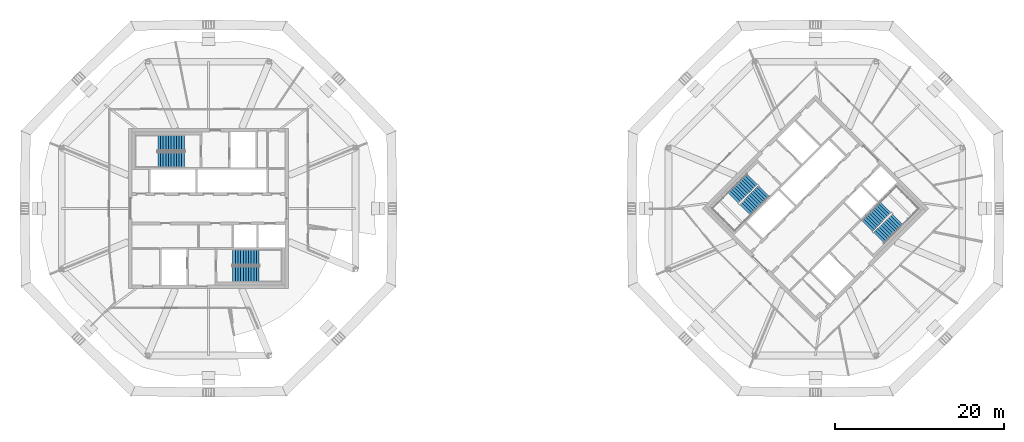
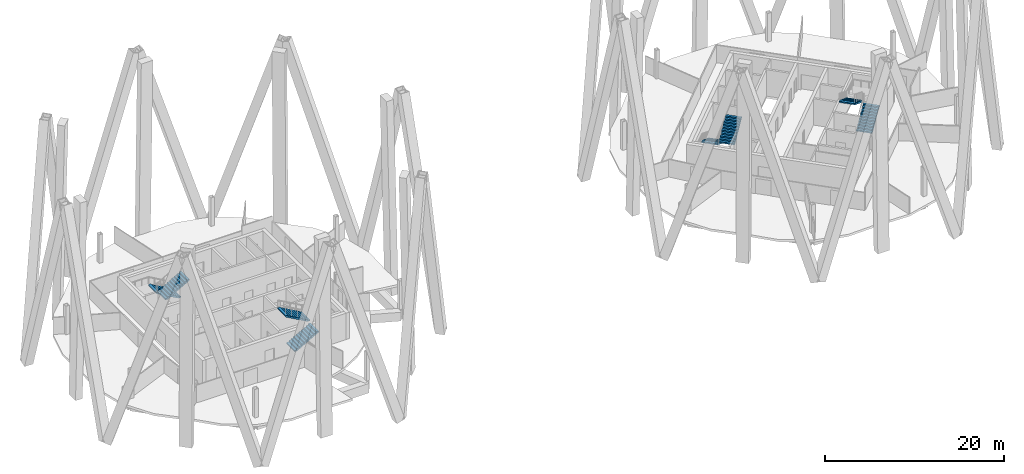
# One storey, part 9 of 11: 8 stair flights, 4 elements without a shape of their own.
"""IFC4 building model written with IfcOpenShell, lengths in metres."""

from ifc_helpers import new_model, si_unit, direction, frame, origin, place, context, subcontext, project, spatial, polyline, outline, extrude, material, type_object, element, aggregate, save


model = new_model("IFC4")

# Units and contexts
model_context = context("Model", 3, precision=1e-05, world=origin(), true_north=direction((0.0, 1.0)))
body_context = subcontext(model_context, "Body", "Model", "MODEL_VIEW")
ifc_project = project(units=[si_unit("LENGTHUNIT", "METRE"), si_unit("AREAUNIT", "SQUARE_METRE"), si_unit("VOLUMEUNIT", "CUBIC_METRE"), si_unit("PLANEANGLEUNIT", "RADIAN"), si_unit("MASSUNIT", "GRAM", prefix="KILO")], contexts=[model_context])

# Site, building, storey
site_placement = place(None, origin())
site = spatial("IfcSite", under=ifc_project, at=site_placement, CompositionType="ELEMENT")
building_placement = place(site_placement, origin())
building = spatial("IfcBuilding", under=site, at=building_placement, Name="Ogive Gate Towers", CompositionType="ELEMENT")
storey_placement = place(building_placement, frame((0.0, 0.0, 244.5)))
storey = spatial("IfcBuildingStorey", under=building, at=storey_placement, Name="L58", CompositionType="ELEMENT", Elevation=244.5)

# Stair, stair flights
ifc_material = material(Name="Concrete C40/50", Category="concrete")
stair_type = type_object("IfcStairType", Name="Escape stair 1840 wide", PredefinedType="HALF_TURN_STAIR", material=ifc_material)
stair_1_placement = place(storey_placement, origin())
stair_1 = element("IfcStair", 1, at=stair_1_placement, inside=storey, type_object=stair_type, Name="L58 Escape stair 1", PredefinedType="HALF_TURN_STAIR")
stair_flight_type = type_object("IfcStairFlightType", Name="Stair flight 1840 wide", PredefinedType="STRAIGHT", material=ifc_material)
stair_flight_1_placement = place(storey_placement, frame((-38.864990234375, 7.780029296875, 0.0), z_axis=(0.0, 0.0, 1.0), x_axis=(-1.0, 0.0, 0.0)))
stair_flight_1 = element("IfcStairFlight", 2, at=stair_flight_1_placement, type_object=stair_flight_type, Name="ST1 flight 1", NumberOfRisers=11, NumberOfTreads=10, PredefinedType="STRAIGHT", RiserHeight=0.177272727, TreadLength=0.313636364, context=body_context, shape_type="SweptSolid", body=[
    extrude(outline(polyline([(0.0, 0.0), (0.0, 0.17724609375), (0.313720703125, 0.17724609375), (0.313720703125, 0.3544921875), (0.627197265625, 0.3544921875), (0.627197265625, 0.53173828125), (0.94091796875, 0.53173828125), (0.94091796875, 0.708984375), (1.254638671875, 0.708984375), (1.254638671875, 0.886474609375), (1.568115234375, 0.886474609375), (1.568115234375, 1.063720703125), (1.8818359375, 1.063720703125), (1.8818359375, 1.240966796875), (2.195556640625, 1.240966796875), (2.195556640625, 1.418212890625), (2.509033203125, 1.418212890625), (2.509033203125, 1.595458984375), (2.82275390625, 1.595458984375), (2.82275390625, 1.772705078125), (3.136474609375, 1.772705078125), (3.136474609375, 1.949951171875), (3.136474609375, 1.6005859375), (0.3046875, 0.0), (0.0, 0.0)])), frame((0.0, 0.919921875, 0.0), z_axis=(0.0, -1.0, 0.0), x_axis=(1.0, 0.0, 0.0)), (0.0, 0.0, 1.0), 1.840087890625),
])
stair_flight_2_placement = place(storey_placement, frame((-42.00146484375, 5.794921875, 1.949951171875), z_axis=(0.0, 0.0, 1.0), x_axis=(1.0, 0.0, 0.0)))
stair_flight_2 = element("IfcStairFlight", 3, at=stair_flight_2_placement, type_object=stair_flight_type, Name="ST1 flight 2", NumberOfRisers=11, NumberOfTreads=10, PredefinedType="STRAIGHT", RiserHeight=0.177272727, TreadLength=0.313636364, context=body_context, shape_type="SweptSolid", body=[
    extrude(outline(polyline([(0.0, 0.0), (0.0, 0.17724609375), (0.313720703125, 0.17724609375), (0.313720703125, 0.3544921875), (0.627197265625, 0.3544921875), (0.627197265625, 0.53173828125), (0.94091796875, 0.53173828125), (0.94091796875, 0.708984375), (1.254638671875, 0.708984375), (1.254638671875, 0.886474609375), (1.568115234375, 0.886474609375), (1.568115234375, 1.063720703125), (1.8818359375, 1.063720703125), (1.8818359375, 1.240966796875), (2.195556640625, 1.240966796875), (2.195556640625, 1.418212890625), (2.509033203125, 1.418212890625), (2.509033203125, 1.595458984375), (2.82275390625, 1.595458984375), (2.82275390625, 1.772705078125), (3.136474609375, 1.772705078125), (3.136474609375, 1.949951171875), (3.136474609375, 1.6005859375), (0.3046875, 0.0), (0.0, 0.0)])), frame((0.0, 0.919921875, 0.0), z_axis=(0.0, -1.0, 0.0), x_axis=(1.0, 0.0, 0.0)), (0.0, 0.0, 1.0), 1.840087890625),
])
aggregate(stair_1, [stair_flight_1, stair_flight_2])

stair_2_placement = place(storey_placement, origin())
stair_2 = element("IfcStair", 4, at=stair_2_placement, inside=storey, type_object=stair_type, Name="L58 Escape stair 2", PredefinedType="HALF_TURN_STAIR")
stair_flight_3_placement = place(storey_placement, frame((-33.135009765625, -7.780029296875, 0.0), z_axis=(0.0, 0.0, 1.0), x_axis=(1.0, 0.0, 0.0)))
stair_flight_3 = element("IfcStairFlight", 5, at=stair_flight_3_placement, type_object=stair_flight_type, Name="ST2 flight 1", NumberOfRisers=11, NumberOfTreads=10, PredefinedType="STRAIGHT", RiserHeight=0.177272727, TreadLength=0.313636364, context=body_context, shape_type="SweptSolid", body=[
    extrude(outline(polyline([(0.0, 0.0), (0.0, 0.17724609375), (0.313720703125, 0.17724609375), (0.313720703125, 0.3544921875), (0.627197265625, 0.3544921875), (0.627197265625, 0.53173828125), (0.94091796875, 0.53173828125), (0.94091796875, 0.708984375), (1.254638671875, 0.708984375), (1.254638671875, 0.886474609375), (1.568115234375, 0.886474609375), (1.568115234375, 1.063720703125), (1.8818359375, 1.063720703125), (1.8818359375, 1.240966796875), (2.195556640625, 1.240966796875), (2.195556640625, 1.418212890625), (2.509033203125, 1.418212890625), (2.509033203125, 1.595458984375), (2.82275390625, 1.595458984375), (2.82275390625, 1.772705078125), (3.136474609375, 1.772705078125), (3.136474609375, 1.949951171875), (3.136474609375, 1.6005859375), (0.3046875, 0.0), (0.0, 0.0)])), frame((0.0, 0.919921875, 0.0), z_axis=(0.0, -1.0, 0.0), x_axis=(1.0, 0.0, 0.0)), (0.0, 0.0, 1.0), 1.840087890625),
])
stair_flight_4_placement = place(storey_placement, frame((-29.99853515625, -5.794921875, 1.949951171875), z_axis=(0.0, 0.0, 1.0), x_axis=(-1.0, 0.0, 0.0)))
stair_flight_4 = element("IfcStairFlight", 6, at=stair_flight_4_placement, type_object=stair_flight_type, Name="ST2 flight 2", NumberOfRisers=11, NumberOfTreads=10, PredefinedType="STRAIGHT", RiserHeight=0.177272727, TreadLength=0.313636364, context=body_context, shape_type="SweptSolid", body=[
    extrude(outline(polyline([(0.0, 0.0), (0.0, 0.17724609375), (0.313720703125, 0.17724609375), (0.313720703125, 0.3544921875), (0.627197265625, 0.3544921875), (0.627197265625, 0.53173828125), (0.94091796875, 0.53173828125), (0.94091796875, 0.708984375), (1.254638671875, 0.708984375), (1.254638671875, 0.886474609375), (1.568115234375, 0.886474609375), (1.568115234375, 1.063720703125), (1.8818359375, 1.063720703125), (1.8818359375, 1.240966796875), (2.195556640625, 1.240966796875), (2.195556640625, 1.418212890625), (2.509033203125, 1.418212890625), (2.509033203125, 1.595458984375), (2.82275390625, 1.595458984375), (2.82275390625, 1.772705078125), (3.136474609375, 1.772705078125), (3.136474609375, 1.949951171875), (3.136474609375, 1.6005859375), (0.3046875, 0.0), (0.0, 0.0)])), frame((0.0, 0.919921875, 0.0), z_axis=(0.0, -1.0, 0.0), x_axis=(1.0, 0.0, 0.0)), (0.0, 0.0, 1.0), 1.840087890625),
])
aggregate(stair_2, [stair_flight_3, stair_flight_4])

stair_3_placement = place(storey_placement, origin())
stair_3 = element("IfcStair", 7, at=stair_3_placement, inside=storey, type_object=stair_type, Name="L58 Escape stair 1", PredefinedType="HALF_TURN_STAIR")
stair_flight_5_placement = place(storey_placement, frame((28.472900390625, 3.475341796875, 0.0), z_axis=(0.0, 0.0, 1.0), x_axis=(-0.707106781187, -0.707106781187, 0.0)))
stair_flight_5 = element("IfcStairFlight", 8, at=stair_flight_5_placement, type_object=stair_flight_type, Name="ST1 flight 1", NumberOfRisers=11, NumberOfTreads=10, PredefinedType="STRAIGHT", RiserHeight=0.177272727, TreadLength=0.313636364, context=body_context, shape_type="SweptSolid", body=[
    extrude(outline(polyline([(0.0, 0.0), (0.0, 0.17724609375), (0.313720703125, 0.17724609375), (0.313720703125, 0.3544921875), (0.627197265625, 0.3544921875), (0.627197265625, 0.53173828125), (0.94091796875, 0.53173828125), (0.94091796875, 0.708984375), (1.254638671875, 0.708984375), (1.254638671875, 0.886474609375), (1.568115234375, 0.886474609375), (1.568115234375, 1.063720703125), (1.8818359375, 1.063720703125), (1.8818359375, 1.240966796875), (2.195556640625, 1.240966796875), (2.195556640625, 1.418212890625), (2.509033203125, 1.418212890625), (2.509033203125, 1.595458984375), (2.82275390625, 1.595458984375), (2.82275390625, 1.772705078125), (3.136474609375, 1.772705078125), (3.136474609375, 1.949951171875), (3.136474609375, 1.6005859375), (0.3046875, 0.0), (0.0, 0.0)])), frame((0.0, 0.919921875, 0.0), z_axis=(0.0, -1.0, 0.0), x_axis=(1.0, 0.0, 0.0)), (0.0, 0.0, 1.0), 1.840087890625),
])
stair_flight_6_placement = place(storey_placement, frame((27.65869140625, -0.14599609375, 1.949951171875), z_axis=(0.0, 0.0, 1.0), x_axis=(0.707106781187, 0.707106781187, 0.0)))
stair_flight_6 = element("IfcStairFlight", 9, at=stair_flight_6_placement, type_object=stair_flight_type, Name="ST1 flight 2", NumberOfRisers=11, NumberOfTreads=10, PredefinedType="STRAIGHT", RiserHeight=0.177272727, TreadLength=0.313636364, context=body_context, shape_type="SweptSolid", body=[
    extrude(outline(polyline([(0.0, 0.0), (0.0, 0.17724609375), (0.313720703125, 0.17724609375), (0.313720703125, 0.3544921875), (0.627197265625, 0.3544921875), (0.627197265625, 0.53173828125), (0.94091796875, 0.53173828125), (0.94091796875, 0.708984375), (1.254638671875, 0.708984375), (1.254638671875, 0.886474609375), (1.568115234375, 0.886474609375), (1.568115234375, 1.063720703125), (1.8818359375, 1.063720703125), (1.8818359375, 1.240966796875), (2.195556640625, 1.240966796875), (2.195556640625, 1.418212890625), (2.509033203125, 1.418212890625), (2.509033203125, 1.595458984375), (2.82275390625, 1.595458984375), (2.82275390625, 1.772705078125), (3.136474609375, 1.772705078125), (3.136474609375, 1.949951171875), (3.136474609375, 1.6005859375), (0.3046875, 0.0), (0.0, 0.0)])), frame((0.0, 0.919921875, 0.0), z_axis=(0.0, -1.0, 0.0), x_axis=(1.0, 0.0, 0.0)), (0.0, 0.0, 1.0), 1.840087890625),
])
aggregate(stair_3, [stair_flight_5, stair_flight_6])

stair_4_placement = place(storey_placement, origin())
stair_4 = element("IfcStair", 10, at=stair_4_placement, inside=storey, type_object=stair_type, Name="L58 Escape stair 2", PredefinedType="HALF_TURN_STAIR")
stair_flight_7_placement = place(storey_placement, frame((43.527099609375, -3.475341796875, 0.0), z_axis=(0.0, 0.0, 1.0), x_axis=(0.707106781187, 0.707106781187, 0.0)))
stair_flight_7 = element("IfcStairFlight", 11, at=stair_flight_7_placement, type_object=stair_flight_type, Name="ST2 flight 1", NumberOfRisers=11, NumberOfTreads=10, PredefinedType="STRAIGHT", RiserHeight=0.177272727, TreadLength=0.313636364, context=body_context, shape_type="SweptSolid", body=[
    extrude(outline(polyline([(0.0, 0.0), (0.0, 0.17724609375), (0.313720703125, 0.17724609375), (0.313720703125, 0.3544921875), (0.627197265625, 0.3544921875), (0.627197265625, 0.53173828125), (0.94091796875, 0.53173828125), (0.94091796875, 0.708984375), (1.254638671875, 0.708984375), (1.254638671875, 0.886474609375), (1.568115234375, 0.886474609375), (1.568115234375, 1.063720703125), (1.8818359375, 1.063720703125), (1.8818359375, 1.240966796875), (2.195556640625, 1.240966796875), (2.195556640625, 1.418212890625), (2.509033203125, 1.418212890625), (2.509033203125, 1.595458984375), (2.82275390625, 1.595458984375), (2.82275390625, 1.772705078125), (3.136474609375, 1.772705078125), (3.136474609375, 1.949951171875), (3.136474609375, 1.6005859375), (0.3046875, 0.0), (0.0, 0.0)])), frame((0.0, 0.919921875, 0.0), z_axis=(0.0, -1.0, 0.0), x_axis=(1.0, 0.0, 0.0)), (0.0, 0.0, 1.0), 1.840087890625),
])
stair_flight_8_placement = place(storey_placement, frame((44.34130859375, 0.14599609375, 1.949951171875), z_axis=(0.0, 0.0, 1.0), x_axis=(-0.707106781187, -0.707106781187, 0.0)))
stair_flight_8 = element("IfcStairFlight", 12, at=stair_flight_8_placement, type_object=stair_flight_type, Name="ST2 flight 2", NumberOfRisers=11, NumberOfTreads=10, PredefinedType="STRAIGHT", RiserHeight=0.177272727, TreadLength=0.313636364, context=body_context, shape_type="SweptSolid", body=[
    extrude(outline(polyline([(0.0, 0.0), (0.0, 0.17724609375), (0.313720703125, 0.17724609375), (0.313720703125, 0.3544921875), (0.627197265625, 0.3544921875), (0.627197265625, 0.53173828125), (0.94091796875, 0.53173828125), (0.94091796875, 0.708984375), (1.254638671875, 0.708984375), (1.254638671875, 0.886474609375), (1.568115234375, 0.886474609375), (1.568115234375, 1.063720703125), (1.8818359375, 1.063720703125), (1.8818359375, 1.240966796875), (2.195556640625, 1.240966796875), (2.195556640625, 1.418212890625), (2.509033203125, 1.418212890625), (2.509033203125, 1.595458984375), (2.82275390625, 1.595458984375), (2.82275390625, 1.772705078125), (3.136474609375, 1.772705078125), (3.136474609375, 1.949951171875), (3.136474609375, 1.6005859375), (0.3046875, 0.0), (0.0, 0.0)])), frame((0.0, 0.919921875, 0.0), z_axis=(0.0, -1.0, 0.0), x_axis=(1.0, 0.0, 0.0)), (0.0, 0.0, 1.0), 1.840087890625),
])
aggregate(stair_4, [stair_flight_7, stair_flight_8])

save(model, "model.ifc")
